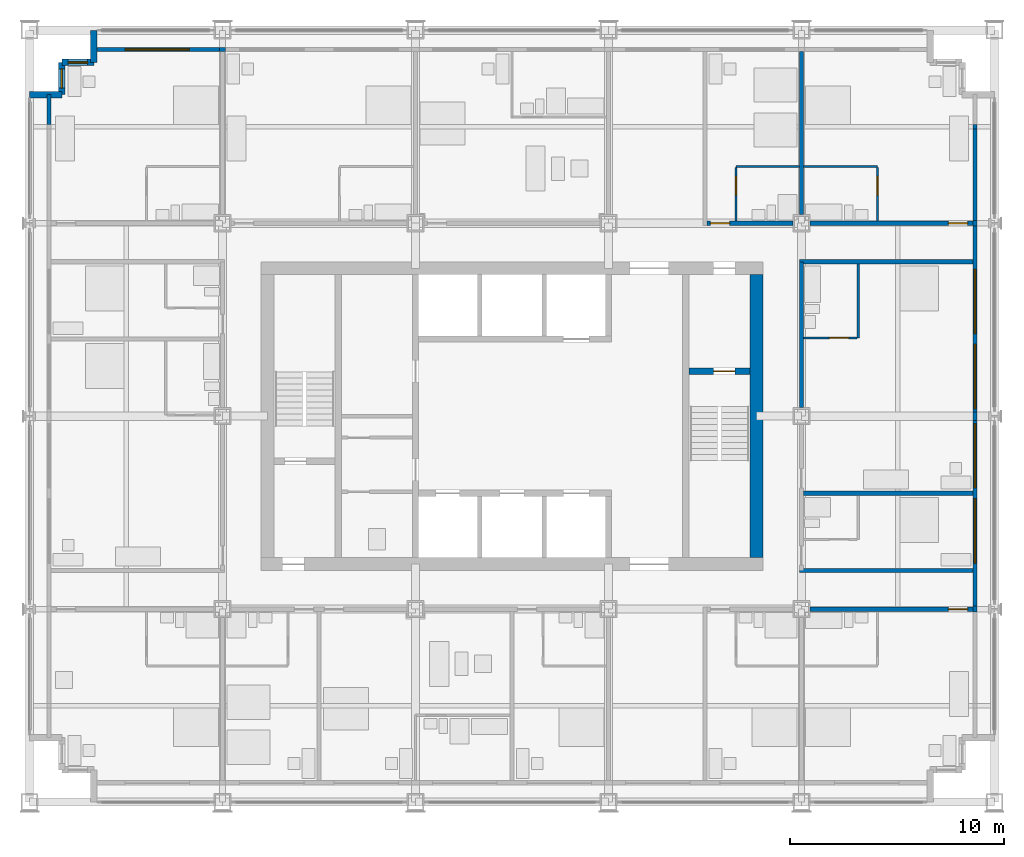
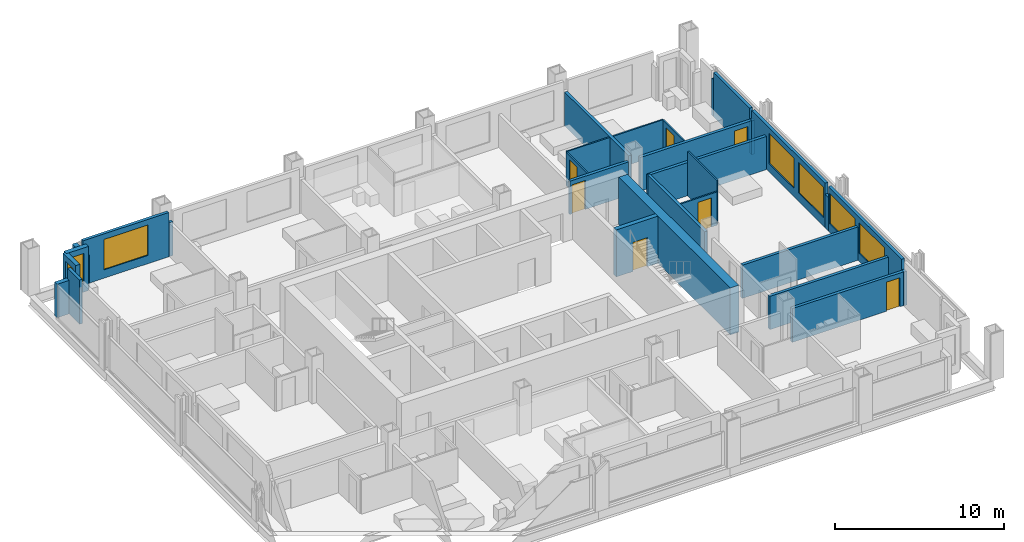
# One storey, part 12 of 16: 30 walls, 7 doors, 7 windows, 14 openings.
"""IFC4 building model written with IfcOpenShell, lengths in metres."""

from ifc_helpers import new_model, si_unit, direction, frame, frame_2d, origin, place, context, subcontext, project, spatial, rectangle, extrude, material, layer, layer_set, type_object, element, fill, save


model = new_model("IFC4")

# Units and contexts
model_context = context("Model", 3, precision=1e-05, world=origin(), true_north=direction((0.0, 1.0)))
body_context = subcontext(model_context, "Body", "Model", "MODEL_VIEW")
ifc_project = project(units=[si_unit("LENGTHUNIT", "METRE"), si_unit("AREAUNIT", "SQUARE_METRE"), si_unit("VOLUMEUNIT", "CUBIC_METRE"), si_unit("PLANEANGLEUNIT", "RADIAN"), si_unit("MASSUNIT", "GRAM", prefix="KILO")], contexts=[model_context])

# Site, building, storey
site_placement = place(None, origin())
site = spatial("IfcSite", under=ifc_project, at=site_placement, CompositionType="ELEMENT")
building_placement = place(site_placement, origin())
building = spatial("IfcBuilding", under=site, at=building_placement, Name="Loomwork Tower", CompositionType="ELEMENT")
storey_placement = place(building_placement, frame((0.0, 0.0, 118.0)))
storey = spatial("IfcBuildingStorey", under=building, at=storey_placement, Name="L31", CompositionType="ELEMENT", Elevation=118.0)

# Wall, opening, door
ifc_material_1 = material(Name="Concrete 14000 psi (97 MPa)", Category="concrete")
ifc_layer_1 = layer(ifc_material_1, 0.300048828125)
ifc_layer_set_1 = layer_set([ifc_layer_1], Name="Core shear wall 300")
wall_type_1 = type_object("IfcWallType", Name="Core shear wall 300", PredefinedType="SHEAR", material=ifc_layer_set_1)
wall_1_placement = place(storey_placement, frame((30.75, 20.10009765625, 0.0), z_axis=(0.0, 0.0, 1.0), x_axis=(1.0, 0.0, 0.0)))
wall_1 = element("IfcWall", 1, at=wall_1_placement, inside=storey, type_object=wall_type_1, Name="Stair B north wall L31", PredefinedType="SHEAR", context=body_context, shape_type="SweptSolid", body=[
    extrude(rectangle(XDim=2.85009765625, YDim=0.300048828125, at=frame_2d((1.425048828125, 0.0))), origin(), (0.0, 0.0, 1.0), 3.39990234375),
])
opening_1_placement = place(wall_1_placement, frame((1.14990234375, 0.0, 0.0)))
opening_1 = element("IfcOpeningElement", 2, at=opening_1_placement, cuts=wall_1, Name="Opening D4", PredefinedType="OPENING", context=body_context, shape_type="SweptSolid", body=[
    extrude(rectangle(XDim=1.0, YDim=2.10009765625, at=frame_2d((0.5, 1.050048828125))), frame((0.0, 0.159912109375, 0.0), z_axis=(0.0, -1.0, 0.0), x_axis=(1.0, 0.0, 0.0)), (0.0, 0.0, 1.0), 0.320068359375),
])
ifc_material_2 = material(Name="Hollow metal door and frame")
door_type_1 = type_object("IfcDoorType", Name="Stair door 1000", OperationType="SINGLE_SWING_RIGHT", PredefinedType="DOOR", material=ifc_material_2)
door_1_placement = place(opening_1_placement, frame((1.0, 0.0, 0.0), z_axis=(0.0, 0.0, 1.0), x_axis=(-1.0, 0.0, 0.0)))
door_1 = element("IfcDoor", 3, at=door_1_placement, inside=storey, type_object=door_type_1, Name="Stair B door", OperationType="SINGLE_SWING_LEFT", OverallHeight=2.10009765625, OverallWidth=1.0, PredefinedType="DOOR", context=body_context, shape_type="SweptSolid", body=[
    extrude(rectangle(XDim=1.0, YDim=2.10009765625, at=frame_2d((0.5, 1.050048828125))), frame((0.0, 0.02490234375, 0.0), z_axis=(0.0, -1.0, 0.0), x_axis=(1.0, 0.0, 0.0)), (0.0, 0.0, 1.0), 0.050048828125),
])
fill(opening_1, door_1)

# Wall
ifc_material_3 = material(Name="Concrete 14000 psi (97 MPa)", Category="concrete")
ifc_layer_2 = layer(ifc_material_3, 0.60009765625)
ifc_layer_set_2 = layer_set([ifc_layer_2], Name="Core shear wall 600")
wall_type_2 = type_object("IfcWallType", Name="Core shear wall 600", PredefinedType="SHEAR", material=ifc_layer_set_2)
wall_2_placement = place(storey_placement, frame((33.89990234375, 11.39990234375, 0.0), z_axis=(0.0, 0.0, 1.0), x_axis=(0.0, 1.0, 0.0)))
element("IfcWall", 4, at=wall_2_placement, inside=storey, type_object=wall_type_2, Name="Core wall east L31", PredefinedType="SHEAR", context=body_context, shape_type="SweptSolid", body=[
    extrude(rectangle(XDim=13.2001953125, YDim=0.60009765625, at=frame_2d((6.60009765625, 0.0))), origin(), (0.0, 0.0, 1.0), 3.39990234375),
])

# Wall, opening, door
ifc_material_4 = material(Name="Gypsum board on steel studs, one-hour", Category="steel")
ifc_layer_3 = layer(ifc_material_4, 0.199951171875)
ifc_layer_set_3 = layer_set([ifc_layer_3], Name="Corridor wall 200")
wall_type_3 = type_object("IfcWallType", Name="Corridor wall 200", PredefinedType="PARTITIONING", material=ifc_layer_set_3)
wall_3_placement = place(storey_placement, frame((36.39990234375, 9.0, 0.0), z_axis=(0.0, 0.0, 1.0), x_axis=(1.0, 0.0, 0.0)))
wall_3 = element("IfcWall", 5, at=wall_3_placement, inside=storey, type_object=wall_type_3, Name="South corridor wall 5", PredefinedType="PARTITIONING", context=body_context, shape_type="SweptSolid", body=[
    extrude(rectangle(XDim=7.60009765625, YDim=0.199951171875, at=frame_2d((3.800048828125, 0.0))), origin(), (0.0, 0.0, 1.0), 2.43798828125),
])
opening_2_placement = place(wall_3_placement, frame((6.449951171875, 0.0, 0.0)))
opening_2 = element("IfcOpeningElement", 6, at=opening_2_placement, cuts=wall_3, Name="Opening D1", PredefinedType="OPENING", context=body_context, shape_type="SweptSolid", body=[
    extrude(rectangle(XDim=0.89990234375, YDim=2.10009765625, at=frame_2d((0.449951171875, 1.050048828125))), frame((0.0, 0.10986328125, 0.0), z_axis=(0.0, -1.0, 0.0), x_axis=(1.0, 0.0, 0.0)), (0.0, 0.0, 1.0), 0.219970703125),
])
ifc_material_5 = material(Name="Hollow metal door and frame")
door_type_2 = type_object("IfcDoorType", Name="Guest room entry door 900", OperationType="SINGLE_SWING_LEFT", PredefinedType="DOOR", material=ifc_material_5)
door_2_placement = place(opening_2_placement, frame((0.89990234375, 0.0, 0.0), z_axis=(0.0, 0.0, 1.0), x_axis=(-1.0, 0.0, 0.0)))
door_2 = element("IfcDoor", 7, at=door_2_placement, inside=storey, type_object=door_type_2, Name="Guest room entry door L31 6", OperationType="SINGLE_SWING_LEFT", OverallHeight=2.10009765625, OverallWidth=0.89990234375, PredefinedType="DOOR", context=body_context, shape_type="SweptSolid", body=[
    extrude(rectangle(XDim=0.89990234375, YDim=2.10009765625, at=frame_2d((0.449951171875, 1.050048828125))), frame((0.0, 0.02490234375, 0.0), z_axis=(0.0, -1.0, 0.0), x_axis=(1.0, 0.0, 0.0)), (0.0, 0.0, 1.0), 0.050048828125),
])
fill(opening_2, door_2)

wall_4_placement = place(storey_placement, frame((31.60009765625, 27.0, 0.0), z_axis=(0.0, 0.0, 1.0), x_axis=(1.0, 0.0, 0.0)))
wall_4 = element("IfcWall", 8, at=wall_4_placement, inside=storey, type_object=wall_type_3, Name="North corridor wall 4", PredefinedType="PARTITIONING", context=body_context, shape_type="SweptSolid", body=[
    extrude(rectangle(XDim=4.0, YDim=0.199951171875, at=frame_2d((2.0, 0.0))), origin(), (0.0, 0.0, 1.0), 2.405029296875),
])
opening_3_placement = place(wall_4_placement, frame((0.14990234375, 0.0, 0.0)))
opening_3 = element("IfcOpeningElement", 9, at=opening_3_placement, cuts=wall_4, Name="Opening D1", PredefinedType="OPENING", context=body_context, shape_type="SweptSolid", body=[
    extrude(rectangle(XDim=0.89990234375, YDim=2.10009765625, at=frame_2d((0.449951171875, 1.050048828125))), frame((0.0, 0.10986328125, 0.0), z_axis=(0.0, -1.0, 0.0), x_axis=(1.0, 0.0, 0.0)), (0.0, 0.0, 1.0), 0.219970703125),
])
door_3_placement = place(opening_3_placement, origin())
door_3 = element("IfcDoor", 10, at=door_3_placement, inside=storey, type_object=door_type_2, Name="Guest room entry door L31 10", OperationType="SINGLE_SWING_LEFT", OverallHeight=2.10009765625, OverallWidth=0.89990234375, PredefinedType="DOOR", context=body_context, shape_type="SweptSolid", body=[
    extrude(rectangle(XDim=0.89990234375, YDim=2.10009765625, at=frame_2d((0.449951171875, 1.050048828125))), frame((0.0, 0.02490234375, 0.0), z_axis=(0.0, -1.0, 0.0), x_axis=(1.0, 0.0, 0.0)), (0.0, 0.0, 1.0), 0.050048828125),
])
fill(opening_3, door_3)

wall_5_placement = place(storey_placement, frame((36.39990234375, 27.0, 0.0), z_axis=(0.0, 0.0, 1.0), x_axis=(1.0, 0.0, 0.0)))
wall_5 = element("IfcWall", 11, at=wall_5_placement, inside=storey, type_object=wall_type_3, Name="North corridor wall 5", PredefinedType="PARTITIONING", context=body_context, shape_type="SweptSolid", body=[
    extrude(rectangle(XDim=7.60009765625, YDim=0.199951171875, at=frame_2d((3.800048828125, 0.0))), origin(), (0.0, 0.0, 1.0), 2.43798828125),
])
opening_4_placement = place(wall_5_placement, frame((6.449951171875, 0.0, 0.0)))
opening_4 = element("IfcOpeningElement", 12, at=opening_4_placement, cuts=wall_5, Name="Opening D1", PredefinedType="OPENING", context=body_context, shape_type="SweptSolid", body=[
    extrude(rectangle(XDim=0.89990234375, YDim=2.10009765625, at=frame_2d((0.449951171875, 1.050048828125))), frame((0.0, 0.10986328125, 0.0), z_axis=(0.0, -1.0, 0.0), x_axis=(1.0, 0.0, 0.0)), (0.0, 0.0, 1.0), 0.219970703125),
])
door_4_placement = place(opening_4_placement, origin())
door_4 = element("IfcDoor", 13, at=door_4_placement, inside=storey, type_object=door_type_2, Name="Guest room entry door L31 11", OperationType="SINGLE_SWING_RIGHT", OverallHeight=2.10009765625, OverallWidth=0.89990234375, PredefinedType="DOOR", context=body_context, shape_type="SweptSolid", body=[
    extrude(rectangle(XDim=0.89990234375, YDim=2.10009765625, at=frame_2d((0.449951171875, 1.050048828125))), frame((0.0, 0.02490234375, 0.0), z_axis=(0.0, -1.0, 0.0), x_axis=(1.0, 0.0, 0.0)), (0.0, 0.0, 1.0), 0.050048828125),
])
fill(opening_4, door_4)

# Walls
wall_6_placement = place(storey_placement, frame((36.0, 18.39990234375, 0.0), z_axis=(0.0, 0.0, 1.0), x_axis=(0.0, 1.0, 0.0)))
element("IfcWall", 14, at=wall_6_placement, inside=storey, type_object=wall_type_3, Name="East corridor wall 2", PredefinedType="PARTITIONING", context=body_context, shape_type="SweptSolid", body=[
    extrude(rectangle(XDim=6.800048828125, YDim=0.199951171875, at=frame_2d((3.39990234375, 0.0))), origin(), (0.0, 0.0, 1.0), 2.405029296875),
])
for number, where, z_axis, x_axis, name in (
    (15, (35.89990234375, 10.800048828125, 0.0), (0.0, 0.0, 1.0), (1.0, 0.0, 0.0), "East band end wall S"),
    (16, (35.89990234375, 25.199951171875, 0.0), (0.0, 0.0, 1.0), (1.0, 0.0, 0.0), "East band end wall N"),
):
    element("IfcWall", number, at=place(storey_placement, frame(where, z_axis=z_axis, x_axis=x_axis)), inside=storey, type_object=wall_type_3, Name=name, PredefinedType="PARTITIONING", context=body_context, shape_type="SweptSolid", body=[
        extrude(rectangle(XDim=8.10009765625, YDim=0.199951171875, at=frame_2d((4.050048828125, 0.0))), origin(), (0.0, 0.0, 1.0), 2.404052734375),
    ])
ifc_material_6 = material(Name="Cement board on steel studs", Category="steel")
ifc_layer_4 = layer(ifc_material_6, 0.10009765625)
ifc_layer_set_4 = layer_set([ifc_layer_4], Name="En-suite partition 100")
wall_type_4 = type_object("IfcWallType", Name="En-suite partition 100", PredefinedType="PARTITIONING", material=ifc_layer_set_4)
wall_7_placement = place(storey_placement, frame((32.949951171875, 29.64990234375, 0.0), z_axis=(0.0, 0.0, 1.0), x_axis=(1.0, 0.0, 0.0)))
element("IfcWall", 17, at=wall_7_placement, inside=storey, type_object=wall_type_4, Name="En-suite wall L31 room 10", PredefinedType="PARTITIONING", context=body_context, shape_type="SweptSolid", body=[
    extrude(rectangle(XDim=2.949951171875, YDim=0.10009765625, at=frame_2d((1.47509765625, 0.0))), origin(), (0.0, 0.0, 1.0), 2.43798828125),
])

# Wall, opening, door
wall_8_placement = place(storey_placement, frame((32.949951171875, 27.10009765625, 0.0), z_axis=(0.0, 0.0, 1.0), x_axis=(0.0, 1.0, 0.0)))
wall_8 = element("IfcWall", 18, at=wall_8_placement, inside=storey, type_object=wall_type_4, Name="En-suite side wall L31 room 10", PredefinedType="PARTITIONING", context=body_context, shape_type="SweptSolid", body=[
    extrude(rectangle(XDim=2.5, YDim=0.10009765625, at=frame_2d((1.25, 0.0))), origin(), (0.0, 0.0, 1.0), 2.404052734375),
])
opening_5_placement = place(wall_8_placement, frame((1.199951171875, 0.0, 0.0)))
opening_5 = element("IfcOpeningElement", 19, at=opening_5_placement, cuts=wall_8, Name="Opening D2", PredefinedType="OPENING", context=body_context, shape_type="SweptSolid", body=[
    extrude(rectangle(XDim=0.89990234375, YDim=2.10009765625, at=frame_2d((0.449951171875, 1.050048828125))), frame((0.0, 0.06005859375, 0.0), z_axis=(0.0, -1.0, 0.0), x_axis=(1.0, 0.0, 0.0)), (0.0, 0.0, 1.0), 0.1201171875),
])
ifc_material_7 = material(Name="Hollow metal door and frame")
door_type_3 = type_object("IfcDoorType", Name="En-suite door 900", OperationType="SINGLE_SWING_LEFT", PredefinedType="DOOR", material=ifc_material_7)
door_5_placement = place(opening_5_placement, frame((0.89990234375, 0.0, 0.0), z_axis=(0.0, 0.0, 1.0), x_axis=(-1.0, 0.0, 0.0)))
door_5 = element("IfcDoor", 20, at=door_5_placement, inside=storey, type_object=door_type_3, Name="En-suite door room 10", OperationType="SINGLE_SWING_LEFT", OverallHeight=2.10009765625, OverallWidth=0.89990234375, PredefinedType="DOOR", context=body_context, shape_type="SweptSolid", body=[
    extrude(rectangle(XDim=0.89990234375, YDim=2.10009765625, at=frame_2d((0.449951171875, 1.050048828125))), frame((0.0, 0.02490234375, 0.0), z_axis=(0.0, -1.0, 0.0), x_axis=(1.0, 0.0, 0.0)), (0.0, 0.0, 1.0), 0.050048828125),
])
fill(opening_5, door_5)

# Wall
wall_9_placement = place(storey_placement, frame((36.10009765625, 29.64990234375, 0.0), z_axis=(0.0, 0.0, 1.0), x_axis=(1.0, 0.0, 0.0)))
element("IfcWall", 21, at=wall_9_placement, inside=storey, type_object=wall_type_4, Name="En-suite wall L31 room 11", PredefinedType="PARTITIONING", context=body_context, shape_type="SweptSolid", body=[
    extrude(rectangle(XDim=3.449951171875, YDim=0.10009765625, at=frame_2d((1.72509765625, 0.0))), origin(), (0.0, 0.0, 1.0), 2.43798828125),
])

# Wall, opening, door
wall_10_placement = place(storey_placement, frame((39.550048828125, 27.10009765625, 0.0), z_axis=(0.0, 0.0, 1.0), x_axis=(0.0, 1.0, 0.0)))
wall_10 = element("IfcWall", 22, at=wall_10_placement, inside=storey, type_object=wall_type_4, Name="En-suite side wall L31 room 11", PredefinedType="PARTITIONING", context=body_context, shape_type="SweptSolid", body=[
    extrude(rectangle(XDim=2.5, YDim=0.10009765625, at=frame_2d((1.25, 0.0))), origin(), (0.0, 0.0, 1.0), 2.43798828125),
])
opening_6_placement = place(wall_10_placement, frame((1.199951171875, 0.0, 0.0)))
opening_6 = element("IfcOpeningElement", 23, at=opening_6_placement, cuts=wall_10, Name="Opening D2", PredefinedType="OPENING", context=body_context, shape_type="SweptSolid", body=[
    extrude(rectangle(XDim=0.89990234375, YDim=2.10009765625, at=frame_2d((0.449951171875, 1.050048828125))), frame((0.0, 0.06005859375, 0.0), z_axis=(0.0, -1.0, 0.0), x_axis=(1.0, 0.0, 0.0)), (0.0, 0.0, 1.0), 0.1201171875),
])
door_6_placement = place(opening_6_placement, origin())
door_6 = element("IfcDoor", 24, at=door_6_placement, inside=storey, type_object=door_type_3, Name="En-suite door room 11", OperationType="SINGLE_SWING_RIGHT", OverallHeight=2.10009765625, OverallWidth=0.89990234375, PredefinedType="DOOR", context=body_context, shape_type="SweptSolid", body=[
    extrude(rectangle(XDim=0.89990234375, YDim=2.10009765625, at=frame_2d((0.449951171875, 1.050048828125))), frame((0.0, 0.02490234375, 0.0), z_axis=(0.0, -1.0, 0.0), x_axis=(1.0, 0.0, 0.0)), (0.0, 0.0, 1.0), 0.050048828125),
])
fill(opening_6, door_6)

# Wall
wall_11_placement = place(storey_placement, frame((38.64990234375, 21.64990234375, 0.0), z_axis=(0.0, 0.0, 1.0), x_axis=(0.0, 1.0, 0.0)))
element("IfcWall", 25, at=wall_11_placement, inside=storey, type_object=wall_type_4, Name="En-suite wall L31 room 15", PredefinedType="PARTITIONING", context=body_context, shape_type="SweptSolid", body=[
    extrude(rectangle(XDim=3.4501953125, YDim=0.10009765625, at=frame_2d((1.72509765625, 0.0))), origin(), (0.0, 0.0, 1.0), 3.199951171875),
])

# Wall, opening, door
wall_12_placement = place(storey_placement, frame((36.10009765625, 21.64990234375, 0.0), z_axis=(0.0, 0.0, 1.0), x_axis=(1.0, 0.0, 0.0)))
wall_12 = element("IfcWall", 26, at=wall_12_placement, inside=storey, type_object=wall_type_4, Name="En-suite side wall L31 room 15", PredefinedType="PARTITIONING", context=body_context, shape_type="SweptSolid", body=[
    extrude(rectangle(XDim=2.5, YDim=0.10009765625, at=frame_2d((1.25, 0.0))), origin(), (0.0, 0.0, 1.0), 2.404052734375),
])
opening_7_placement = place(wall_12_placement, frame((1.199951171875, 0.0, 0.0)))
opening_7 = element("IfcOpeningElement", 27, at=opening_7_placement, cuts=wall_12, Name="Opening D2", PredefinedType="OPENING", context=body_context, shape_type="SweptSolid", body=[
    extrude(rectangle(XDim=0.89990234375, YDim=2.10009765625, at=frame_2d((0.449951171875, 1.050048828125))), frame((0.0, 0.06005859375, 0.0), z_axis=(0.0, -1.0, 0.0), x_axis=(1.0, 0.0, 0.0)), (0.0, 0.0, 1.0), 0.1201171875),
])
door_7_placement = place(opening_7_placement, origin())
door_7 = element("IfcDoor", 28, at=door_7_placement, inside=storey, type_object=door_type_3, Name="En-suite door room 15", OperationType="SINGLE_SWING_RIGHT", OverallHeight=2.10009765625, OverallWidth=0.89990234375, PredefinedType="DOOR", context=body_context, shape_type="SweptSolid", body=[
    extrude(rectangle(XDim=0.89990234375, YDim=2.10009765625, at=frame_2d((0.449951171875, 1.050048828125))), frame((0.0, 0.02490234375, 0.0), z_axis=(0.0, -1.0, 0.0), x_axis=(1.0, 0.0, 0.0)), (0.0, 0.0, 1.0), 0.050048828125),
])
fill(opening_7, door_7)

# Walls
ifc_material_8 = material(Name="Gypsum board on steel studs, acoustic", Category="steel")
ifc_layer_5 = layer(ifc_material_8, 0.199951171875)
ifc_layer_set_5 = layer_set([ifc_layer_5], Name="Guest room party wall 200")
wall_type_5 = type_object("IfcWallType", Name="Guest room party wall 200", PredefinedType="PARTITIONING", material=ifc_layer_set_5)
wall_13_placement = place(storey_placement, frame((36.0, 27.39990234375, 0.0), z_axis=(0.0, 0.0, 1.0), x_axis=(0.0, 1.0, 0.0)))
element("IfcWall", 29, at=wall_13_placement, inside=storey, type_object=wall_type_5, Name="Guest room party wall N 36", PredefinedType="PARTITIONING", context=body_context, shape_type="SweptSolid", body=[
    extrude(rectangle(XDim=7.60009765625, YDim=0.199951171875, at=frame_2d((3.800048828125, 0.0))), origin(), (0.0, 0.0, 1.0), 2.43798828125),
])
wall_14_placement = place(storey_placement, frame((36.10009765625, 14.39990234375, 0.0), z_axis=(0.0, 0.0, 1.0), x_axis=(1.0, 0.0, 0.0)))
element("IfcWall", 30, at=wall_14_placement, inside=storey, type_object=wall_type_5, Name="Guest room party wall E 14.4", PredefinedType="PARTITIONING", context=body_context, shape_type="SweptSolid", body=[
    extrude(rectangle(XDim=7.89990234375, YDim=0.199951171875, at=frame_2d((3.949951171875, 0.0))), origin(), (0.0, 0.0, 1.0), 2.404052734375),
])

# Wall, opening, window
ifc_material_9 = material(Name="Insulated steel stud wall with gypsum lining", Category="steel")
ifc_layer_6 = layer(ifc_material_9, 0.199951171875)
ifc_layer_set_6 = layer_set([ifc_layer_6], Name="Inner skin wall 200")
wall_type_6 = type_object("IfcWallType", Name="Inner skin wall 200", PredefinedType="SOLIDWALL", material=ifc_layer_set_6)
wall_15_placement = place(storey_placement, frame((3.0, 35.10009765625, 0.0), z_axis=(0.0, 0.0, 1.0), x_axis=(1.0, 0.0, 0.0)))
wall_15 = element("IfcWall", 31, at=wall_15_placement, inside=storey, type_object=wall_type_6, Name="Inner skin wall N", PredefinedType="SOLIDWALL", context=body_context, shape_type="SweptSolid", body=[
    extrude(rectangle(XDim=5.86474609375, YDim=0.199951171875, at=frame_2d((2.932373046875, 0.0))), origin(), (0.0, 0.0, 1.0), 3.199951171875),
])
opening_8_placement = place(wall_15_placement, frame((1.449951171875, 0.0, 0.60009765625)))
opening_8 = element("IfcOpeningElement", 32, at=opening_8_placement, cuts=wall_15, Name="Opening CH1", PredefinedType="OPENING", context=body_context, shape_type="SweptSolid", body=[
    extrude(rectangle(XDim=3.0, YDim=2.199951171875, at=frame_2d((1.5, 1.10009765625))), frame((0.0, 0.10986328125, 0.0), z_axis=(0.0, -1.0, 0.0), x_axis=(1.0, 0.0, 0.0)), (0.0, 0.0, 1.0), 0.219970703125),
])
ifc_material_10 = material(Name="Aluminium frame with clear insulated glass", Category="aluminium")
window_type_1 = type_object("IfcWindowType", Name="Chicago window 3000", PartitioningType="TRIPLE_PANEL_VERTICAL", PredefinedType="WINDOW", material=ifc_material_10)
window_1_placement = place(opening_8_placement, origin())
window_1 = element("IfcWindow", 33, at=window_1_placement, inside=storey, type_object=window_type_1, Name="Chicago window L31 bay 6", OverallHeight=2.199951171875, OverallWidth=3.0, PartitioningType="TRIPLE_PANEL_VERTICAL", PredefinedType="WINDOW", context=body_context, shape_type="SweptSolid", body=[
    extrude(rectangle(XDim=3.0, YDim=2.199951171875, at=frame_2d((1.5, 1.10009765625))), frame((0.0, 0.030029296875, 0.0), z_axis=(0.0, -1.0, 0.0), x_axis=(1.0, 0.0, 0.0)), (0.0, 0.0, 1.0), 0.06005859375),
])
fill(opening_8, window_1)

# Walls
wall_16_placement = place(storey_placement, frame((0.89990234375, 31.607421875, 0.0), z_axis=(0.0, 0.0, 1.0), x_axis=(0.0, 1.0, 0.0)))
element("IfcWall", 34, at=wall_16_placement, inside=storey, type_object=wall_type_6, Name="Inner skin wall W bay 11", PredefinedType="SOLIDWALL", context=body_context, shape_type="SweptSolid", body=[
    extrude(rectangle(XDim=1.392578125, YDim=0.199951171875, at=frame_2d((0.6962890625, 0.0))), origin(), (0.0, 0.0, 1.0), 3.199951171875),
])
for number, where, z_axis, x_axis, name in (
    (35, (8.86474609375, 35.10009765625, 0.0), (0.0, 0.0, 1.0), (1.0, 0.0, 0.0), "Inner skin wall N bay 2"),
    (36, (44.10009765625, 8.86474609375, 0.0), (0.0, 0.0, 1.0), (0.0, 1.0, 0.0), "Inner skin wall E bay 4"),
):
    element("IfcWall", number, at=place(storey_placement, frame(where, z_axis=z_axis, x_axis=x_axis)), inside=storey, type_object=wall_type_6, Name=name, PredefinedType="SOLIDWALL", context=body_context, shape_type="SweptSolid", body=[
        extrude(rectangle(XDim=0.2705078125, YDim=0.199951171875, at=frame_2d((0.13525390625, 0.0))), origin(), (0.0, 0.0, 1.0), 2.43798828125),
    ])

# Wall, openings, windows
wall_17_placement = place(storey_placement, frame((44.10009765625, 9.13525390625, 0.0), z_axis=(0.0, 0.0, 1.0), x_axis=(0.0, 1.0, 0.0)))
wall_17 = element("IfcWall", 37, at=wall_17_placement, inside=storey, type_object=wall_type_6, Name="Inner skin wall E bay 5", PredefinedType="SOLIDWALL", context=body_context, shape_type="SweptSolid", body=[
    extrude(rectangle(XDim=8.6708984375, YDim=0.199951171875, at=frame_2d((4.33544921875, 0.0))), origin(), (0.0, 0.0, 1.0), 3.199951171875),
])
opening_9_placement = place(wall_17_placement, frame((2.0146484375, 0.0, 0.60009765625)))
opening_9 = element("IfcOpeningElement", 38, at=opening_9_placement, cuts=wall_17, Name="Opening CH1", PredefinedType="OPENING", context=body_context, shape_type="SweptSolid", body=[
    extrude(rectangle(XDim=3.0, YDim=2.199951171875, at=frame_2d((1.5, 1.10009765625))), frame((0.0, 0.10986328125, 0.0), z_axis=(0.0, -1.0, 0.0), x_axis=(1.0, 0.0, 0.0)), (0.0, 0.0, 1.0), 0.219970703125),
])
opening_10_placement = place(wall_17_placement, frame((5.5146484375, 0.0, 0.60009765625)))
opening_10 = element("IfcOpeningElement", 39, at=opening_10_placement, cuts=wall_17, Name="Opening CH1", PredefinedType="OPENING", context=body_context, shape_type="SweptSolid", body=[
    extrude(rectangle(XDim=3.0, YDim=2.199951171875, at=frame_2d((1.5, 1.10009765625))), frame((0.0, 0.10986328125, 0.0), z_axis=(0.0, -1.0, 0.0), x_axis=(1.0, 0.0, 0.0)), (0.0, 0.0, 1.0), 0.219970703125),
])
window_2_placement = place(opening_9_placement, origin())
window_2 = element("IfcWindow", 40, at=window_2_placement, inside=storey, type_object=window_type_1, Name="Chicago window L31 bay 13", OverallHeight=2.199951171875, OverallWidth=3.0, PartitioningType="TRIPLE_PANEL_VERTICAL", PredefinedType="WINDOW", context=body_context, shape_type="SweptSolid", body=[
    extrude(rectangle(XDim=3.0, YDim=2.199951171875, at=frame_2d((1.5, 1.10009765625))), frame((0.0, 0.030029296875, 0.0), z_axis=(0.0, -1.0, 0.0), x_axis=(1.0, 0.0, 0.0)), (0.0, 0.0, 1.0), 0.06005859375),
])
fill(opening_9, window_2)
window_3_placement = place(opening_10_placement, origin())
window_3 = element("IfcWindow", 41, at=window_3_placement, inside=storey, type_object=window_type_1, Name="Chicago window L31 bay 13", OverallHeight=2.199951171875, OverallWidth=3.0, PartitioningType="TRIPLE_PANEL_VERTICAL", PredefinedType="WINDOW", context=body_context, shape_type="SweptSolid", body=[
    extrude(rectangle(XDim=3.0, YDim=2.199951171875, at=frame_2d((1.5, 1.10009765625))), frame((0.0, 0.030029296875, 0.0), z_axis=(0.0, -1.0, 0.0), x_axis=(1.0, 0.0, 0.0)), (0.0, 0.0, 1.0), 0.06005859375),
])
fill(opening_10, window_3)

# Wall
wall_18_placement = place(storey_placement, frame((44.10009765625, 17.80615234375, 0.0), z_axis=(0.0, 0.0, 1.0), x_axis=(0.0, 1.0, 0.0)))
element("IfcWall", 42, at=wall_18_placement, inside=storey, type_object=wall_type_6, Name="Inner skin wall E bay 6", PredefinedType="SOLIDWALL", context=body_context, shape_type="SweptSolid", body=[
    extrude(rectangle(XDim=0.3876953125, YDim=0.199951171875, at=frame_2d((0.19384765625, 0.0))), origin(), (0.0, 0.0, 1.0), 2.404052734375),
])

# Wall, openings, windows
wall_19_placement = place(storey_placement, frame((44.10009765625, 18.19384765625, 0.0), z_axis=(0.0, 0.0, 1.0), x_axis=(0.0, 1.0, 0.0)))
wall_19 = element("IfcWall", 43, at=wall_19_placement, inside=storey, type_object=wall_type_6, Name="Inner skin wall E bay 7", PredefinedType="SOLIDWALL", context=body_context, shape_type="SweptSolid", body=[
    extrude(rectangle(XDim=8.6708984375, YDim=0.199951171875, at=frame_2d((4.33544921875, 0.0))), origin(), (0.0, 0.0, 1.0), 3.199951171875),
])
opening_11_placement = place(wall_19_placement, frame((0.15625, 0.0, 0.60009765625)))
opening_11 = element("IfcOpeningElement", 44, at=opening_11_placement, cuts=wall_19, Name="Opening CH1", PredefinedType="OPENING", context=body_context, shape_type="SweptSolid", body=[
    extrude(rectangle(XDim=3.0, YDim=2.199951171875, at=frame_2d((1.5, 1.10009765625))), frame((0.0, 0.10986328125, 0.0), z_axis=(0.0, -1.0, 0.0), x_axis=(1.0, 0.0, 0.0)), (0.0, 0.0, 1.0), 0.219970703125),
])
opening_12_placement = place(wall_19_placement, frame((3.65625, 0.0, 0.60009765625)))
opening_12 = element("IfcOpeningElement", 45, at=opening_12_placement, cuts=wall_19, Name="Opening CH1", PredefinedType="OPENING", context=body_context, shape_type="SweptSolid", body=[
    extrude(rectangle(XDim=3.0, YDim=2.199951171875, at=frame_2d((1.5, 1.10009765625))), frame((0.0, 0.10986328125, 0.0), z_axis=(0.0, -1.0, 0.0), x_axis=(1.0, 0.0, 0.0)), (0.0, 0.0, 1.0), 0.219970703125),
])
window_4_placement = place(opening_11_placement, origin())
window_4 = element("IfcWindow", 46, at=window_4_placement, inside=storey, type_object=window_type_1, Name="Chicago window L31 bay 14", OverallHeight=2.199951171875, OverallWidth=3.0, PartitioningType="TRIPLE_PANEL_VERTICAL", PredefinedType="WINDOW", context=body_context, shape_type="SweptSolid", body=[
    extrude(rectangle(XDim=3.0, YDim=2.199951171875, at=frame_2d((1.5, 1.10009765625))), frame((0.0, 0.030029296875, 0.0), z_axis=(0.0, -1.0, 0.0), x_axis=(1.0, 0.0, 0.0)), (0.0, 0.0, 1.0), 0.06005859375),
])
fill(opening_11, window_4)
window_5_placement = place(opening_12_placement, origin())
window_5 = element("IfcWindow", 47, at=window_5_placement, inside=storey, type_object=window_type_1, Name="Chicago window L31 bay 14", OverallHeight=2.199951171875, OverallWidth=3.0, PartitioningType="TRIPLE_PANEL_VERTICAL", PredefinedType="WINDOW", context=body_context, shape_type="SweptSolid", body=[
    extrude(rectangle(XDim=3.0, YDim=2.199951171875, at=frame_2d((1.5, 1.10009765625))), frame((0.0, 0.030029296875, 0.0), z_axis=(0.0, -1.0, 0.0), x_axis=(1.0, 0.0, 0.0)), (0.0, 0.0, 1.0), 0.06005859375),
])
fill(opening_12, window_5)

# Walls
wall_20_placement = place(storey_placement, frame((44.10009765625, 26.86474609375, 0.0), z_axis=(0.0, 0.0, 1.0), x_axis=(0.0, 1.0, 0.0)))
element("IfcWall", 48, at=wall_20_placement, inside=storey, type_object=wall_type_6, Name="Inner skin wall E bay 8", PredefinedType="SOLIDWALL", context=body_context, shape_type="SweptSolid", body=[
    extrude(rectangle(XDim=0.2705078125, YDim=0.199951171875, at=frame_2d((0.13525390625, 0.0))), origin(), (0.0, 0.0, 1.0), 2.43798828125),
])
wall_21_placement = place(storey_placement, frame((44.10009765625, 27.13525390625, 0.0), z_axis=(0.0, 0.0, 1.0), x_axis=(0.0, 1.0, 0.0)))
element("IfcWall", 49, at=wall_21_placement, inside=storey, type_object=wall_type_6, Name="Inner skin wall E bay 9", PredefinedType="SOLIDWALL", context=body_context, shape_type="SweptSolid", body=[
    extrude(rectangle(XDim=4.25732421875, YDim=0.199951171875, at=frame_2d((2.128662109375, 0.0))), origin(), (0.0, 0.0, 1.0), 3.199951171875),
])
wall_22_placement = place(storey_placement, frame((44.10009765625, 31.392578125, 0.0), z_axis=(0.0, 0.0, 1.0), x_axis=(0.0, 1.0, 0.0)))
element("IfcWall", 50, at=wall_22_placement, inside=storey, type_object=wall_type_6, Name="Inner skin wall E bay 10", PredefinedType="SOLIDWALL", context=body_context, shape_type="SweptSolid", body=[
    extrude(rectangle(XDim=0.21484375, YDim=0.199951171875, at=frame_2d((0.107421875, 0.0))), origin(), (0.0, 0.0, 1.0), 2.660888671875),
])
ifc_material_11 = material(Name="Limestone on concrete masonry", Category="masonry")
ifc_layer_7 = layer(ifc_material_11, 0.300048828125)
ifc_layer_set_7 = layer_set([ifc_layer_7], Name="Limestone corner wall 300")
wall_type_7 = type_object("IfcWallType", Name="Limestone corner wall 300", PredefinedType="SOLIDWALL", material=ifc_layer_set_7)
wall_23_placement = place(storey_placement, frame((3.0, 36.0, 0.0), z_axis=(0.0, 0.0, 1.0), x_axis=(0.0, -1.0, 0.0)))
element("IfcWall", 51, at=wall_23_placement, inside=storey, type_object=wall_type_7, Name="Stone corner wall NW 1", PredefinedType="SOLIDWALL", context=body_context, shape_type="SweptSolid", body=[
    extrude(rectangle(XDim=1.5, YDim=0.300048828125, at=frame_2d((0.75, 0.0))), origin(), (0.0, 0.0, 1.0), 2.419921875),
])

# Wall, opening, window
wall_24_placement = place(storey_placement, frame((3.0, 34.5, 0.0), z_axis=(0.0, 0.0, 1.0), x_axis=(-1.0, 0.0, 0.0)))
wall_24 = element("IfcWall", 52, at=wall_24_placement, inside=storey, type_object=wall_type_7, Name="Stone corner wall NW 2", PredefinedType="SOLIDWALL", context=body_context, shape_type="SweptSolid", body=[
    extrude(rectangle(XDim=1.5, YDim=0.300048828125, at=frame_2d((0.75, 0.0))), origin(), (0.0, 0.0, 1.0), 3.199951171875),
])
opening_13_placement = place(wall_24_placement, frame((0.300048828125, 0.0, 0.60009765625)))
opening_13 = element("IfcOpeningElement", 53, at=opening_13_placement, cuts=wall_24, Name="Opening CH2", PredefinedType="OPENING", context=body_context, shape_type="SweptSolid", body=[
    extrude(rectangle(XDim=0.89990234375, YDim=2.199951171875, at=frame_2d((0.449951171875, 1.10009765625))), frame((0.0, 0.159912109375, 0.0), z_axis=(0.0, -1.0, 0.0), x_axis=(1.0, 0.0, 0.0)), (0.0, 0.0, 1.0), 0.320068359375),
])
ifc_material_12 = material(Name="Aluminium frame with clear insulated glass", Category="aluminium")
window_type_2 = type_object("IfcWindowType", Name="Corner window 900", PartitioningType="SINGLE_PANEL", PredefinedType="WINDOW", material=ifc_material_12)
window_6_placement = place(opening_13_placement, origin())
window_6 = element("IfcWindow", 54, at=window_6_placement, inside=storey, type_object=window_type_2, Name="Corner window NW", OverallHeight=2.199951171875, OverallWidth=0.89990234375, PartitioningType="SINGLE_PANEL", PredefinedType="WINDOW", context=body_context, shape_type="SweptSolid", body=[
    extrude(rectangle(XDim=0.89990234375, YDim=2.199951171875, at=frame_2d((0.449951171875, 1.10009765625))), frame((0.0, 0.030029296875, 0.0), z_axis=(0.0, -1.0, 0.0), x_axis=(1.0, 0.0, 0.0)), (0.0, 0.0, 1.0), 0.06005859375),
])
fill(opening_13, window_6)

wall_25_placement = place(storey_placement, frame((1.5, 34.5, 0.0), z_axis=(0.0, 0.0, 1.0), x_axis=(0.0, -1.0, 0.0)))
wall_25 = element("IfcWall", 55, at=wall_25_placement, inside=storey, type_object=wall_type_7, Name="Stone corner wall NW 3", PredefinedType="SOLIDWALL", context=body_context, shape_type="SweptSolid", body=[
    extrude(rectangle(XDim=1.5, YDim=0.300048828125, at=frame_2d((0.75, 0.0))), origin(), (0.0, 0.0, 1.0), 3.199951171875),
])
opening_14_placement = place(wall_25_placement, frame((0.300048828125, 0.0, 0.60009765625)))
opening_14 = element("IfcOpeningElement", 56, at=opening_14_placement, cuts=wall_25, Name="Opening CH2", PredefinedType="OPENING", context=body_context, shape_type="SweptSolid", body=[
    extrude(rectangle(XDim=0.89990234375, YDim=2.199951171875, at=frame_2d((0.449951171875, 1.10009765625))), frame((0.0, 0.159912109375, 0.0), z_axis=(0.0, -1.0, 0.0), x_axis=(1.0, 0.0, 0.0)), (0.0, 0.0, 1.0), 0.320068359375),
])
window_7_placement = place(opening_14_placement, origin())
window_7 = element("IfcWindow", 57, at=window_7_placement, inside=storey, type_object=window_type_2, Name="Corner window NW", OverallHeight=2.199951171875, OverallWidth=0.89990234375, PartitioningType="SINGLE_PANEL", PredefinedType="WINDOW", context=body_context, shape_type="SweptSolid", body=[
    extrude(rectangle(XDim=0.89990234375, YDim=2.199951171875, at=frame_2d((0.449951171875, 1.10009765625))), frame((0.0, 0.030029296875, 0.0), z_axis=(0.0, -1.0, 0.0), x_axis=(1.0, 0.0, 0.0)), (0.0, 0.0, 1.0), 0.06005859375),
])
fill(opening_14, window_7)

# Wall
wall_26_placement = place(storey_placement, frame((1.5, 33.0, 0.0), z_axis=(0.0, 0.0, 1.0), x_axis=(-1.0, 0.0, 0.0)))
element("IfcWall", 58, at=wall_26_placement, inside=storey, type_object=wall_type_7, Name="Stone corner wall NW 4", PredefinedType="SOLIDWALL", context=body_context, shape_type="SweptSolid", body=[
    extrude(rectangle(XDim=1.5, YDim=0.300048828125, at=frame_2d((0.75, 0.0))), origin(), (0.0, 0.0, 1.0), 2.419921875),
])

save(model, "model.ifc")
